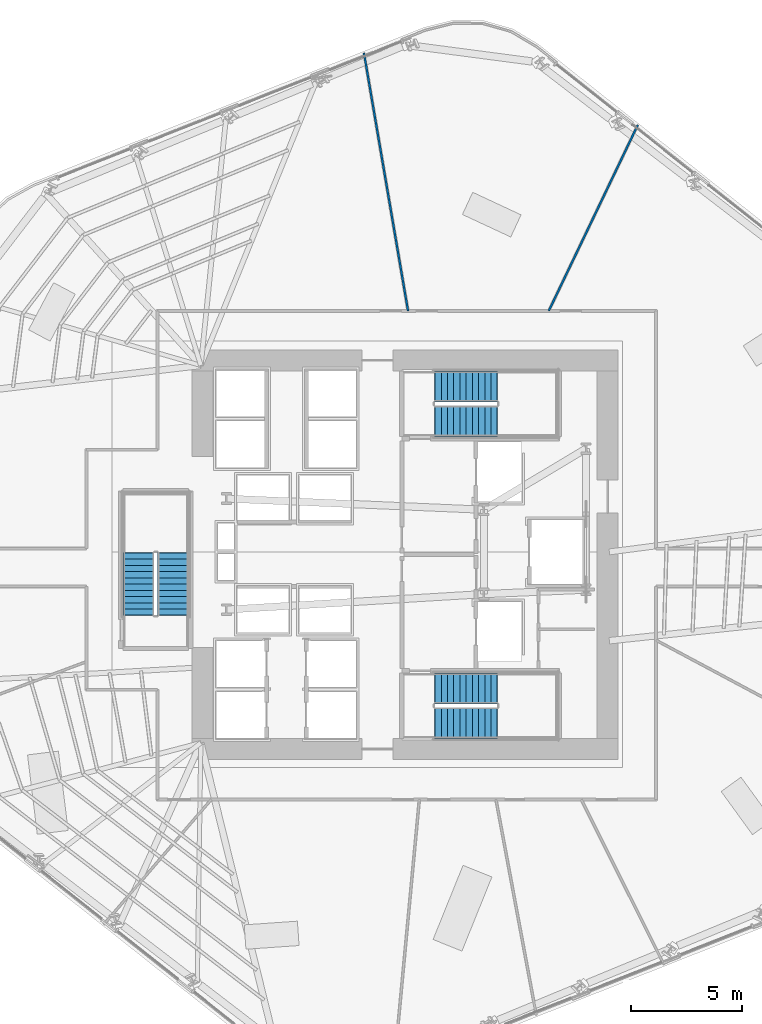
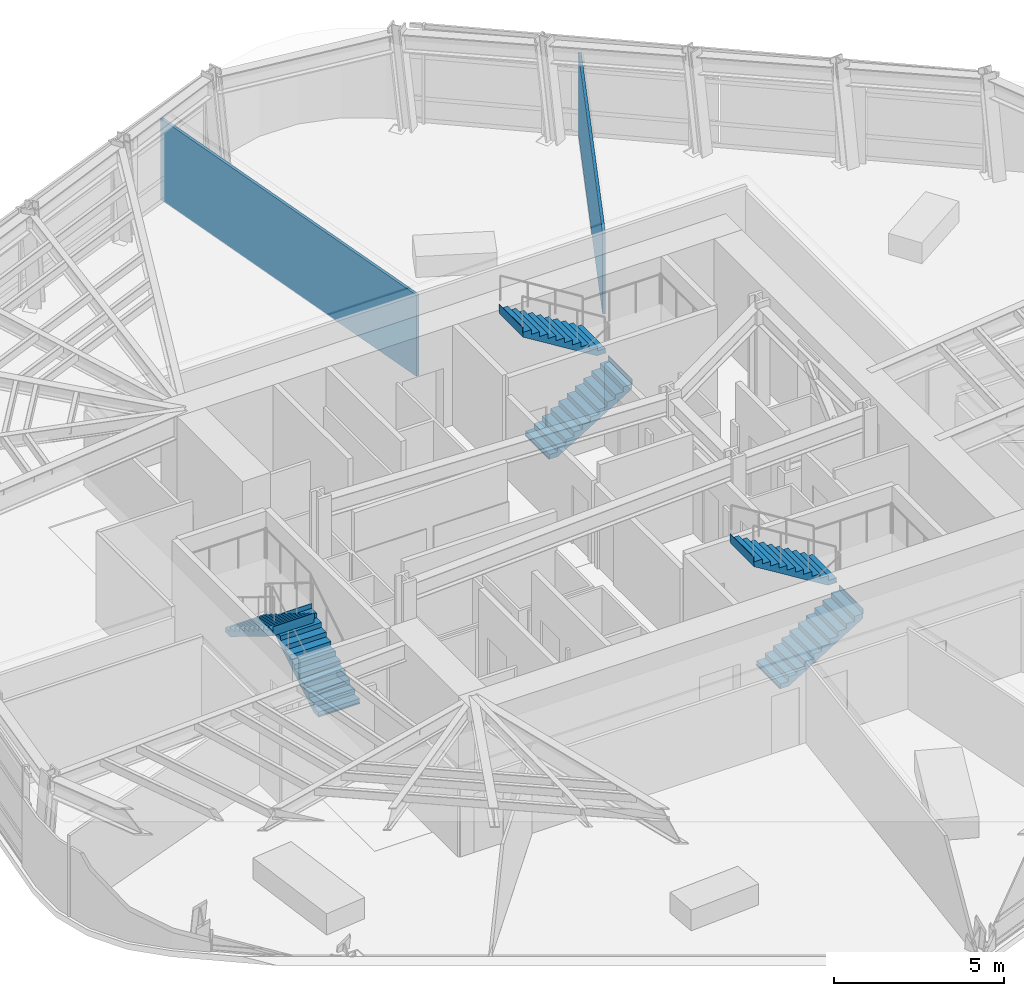
# One storey, part 10 of 17: 6 stair flights, 2 walls, 3 elements without a shape of their own.
"""IFC4 building model written with IfcOpenShell, lengths in metres."""

from ifc_helpers import new_model, si_unit, direction, frame, frame_2d, origin, place, context, subcontext, project, spatial, polyline, rectangle, outline, extrude, material, layer, layer_set, type_object, element, aggregate, save


model = new_model("IFC4")

# Units and contexts
model_context = context("Model", 3, precision=1e-05, world=origin(), true_north=direction((0.0, 1.0)))
body_context = subcontext(model_context, "Body", "Model", "MODEL_VIEW")
ifc_project = project(units=[si_unit("LENGTHUNIT", "METRE"), si_unit("AREAUNIT", "SQUARE_METRE"), si_unit("VOLUMEUNIT", "CUBIC_METRE"), si_unit("PLANEANGLEUNIT", "RADIAN"), si_unit("MASSUNIT", "GRAM", prefix="KILO")], contexts=[model_context])

# Site, building, storey
site_placement = place(None, origin())
site = spatial("IfcSite", under=ifc_project, at=site_placement, CompositionType="ELEMENT")
building_placement = place(site_placement, origin())
building = spatial("IfcBuilding", under=site, at=building_placement, Name="Valkerne Bourse Tower", CompositionType="ELEMENT")
storey_placement = place(building_placement, frame((0.0, 0.0, 116.199951171875)))
storey = spatial("IfcBuildingStorey", under=building, at=storey_placement, Name="L29", CompositionType="ELEMENT", Elevation=116.199951171875)

# Walls
ifc_material_1 = material(Name="Gypsum Board Steel-Stud Partition", Category="steel")
ifc_layer = layer(ifc_material_1, 0.092041015625)
ifc_layer_set = layer_set([ifc_layer], Name="Gypsum Board Steel-Stud Partition")
wall_type = type_object("IfcWallType", Name="W-PART-115", PredefinedType="PARTITIONING", material=ifc_layer_set)
wall_1_placement = place(storey_placement, frame((53.2705078125, 37.85498046875, 0.0), z_axis=(0.0, 0.0, 1.0), x_axis=(0.43184619649, 0.901947261528, 0.0)))
element("IfcWall", 1, at=wall_1_placement, inside=storey, type_object=wall_type, Name="L29 Suite Partition P06", PredefinedType="PARTITIONING", context=body_context, shape_type="SweptSolid", body=[
    extrude(rectangle(XDim=9.28564453125, YDim=0.092041015625, at=frame_2d((4.642822265625, 0.0))), origin(), (0.0, 0.0, 1.0), 2.92236328125),
])
wall_2_placement = place(storey_placement, frame((46.9326171875, 37.85498046875, 0.0), z_axis=(0.0, 0.0, 1.0), x_axis=(-0.168494230919, 0.985702639819, 0.0)))
element("IfcWall", 2, at=wall_2_placement, inside=storey, type_object=wall_type, Name="L29 Suite Partition P07", PredefinedType="PARTITIONING", context=body_context, shape_type="SweptSolid", body=[
    extrude(rectangle(XDim=11.7900390625, YDim=0.092041015625, at=frame_2d((5.89501953125, 0.0))), origin(), (0.0, 0.0, 1.0), 2.92236328125),
])

# Stair, stair flights
ifc_material_2 = material(Name="Concrete C40/50", Category="concrete")
stair_type = type_object("IfcStairType", Name="ST-CORE-1400", PredefinedType="HALF_TURN_STAIR", material=ifc_material_2)
stair_1_placement = place(storey_placement, origin())
stair_1 = element("IfcStair", 3, at=stair_1_placement, inside=storey, type_object=stair_type, Name="L29 ST-1", PredefinedType="HALF_TURN_STAIR")
stair_flight_type = type_object("IfcStairFlightType", Name="STF-CORE-1400", PredefinedType="STRAIGHT", material=ifc_material_2)
stair_flight_1_placement = place(storey_placement, frame((48.14990234375, 19.300048828125, 0.0), z_axis=(0.0, 0.0, 1.0), x_axis=(1.0, 0.0, 0.0)))
stair_flight_1 = element("IfcStairFlight", 4, at=stair_flight_1_placement, type_object=stair_flight_type, Name="ST-1 flight 1", NumberOfRisers=11, NumberOfTreads=10, PredefinedType="STRAIGHT", RiserHeight=0.172727273, TreadLength=0.28, context=body_context, shape_type="SweptSolid", body=[
    extrude(outline(polyline([(-0.02001953125, 0.0), (-0.02001953125, 0.044921875), (0.0, 0.044921875), (0.0, 0.172607421875), (0.280029296875, 0.172607421875), (0.280029296875, 0.345458984375), (0.56005859375, 0.345458984375), (0.56005859375, 0.51806640625), (0.840087890625, 0.51806640625), (0.840087890625, 0.69091796875), (1.1201171875, 0.69091796875), (1.1201171875, 0.863525390625), (1.39990234375, 0.863525390625), (1.39990234375, 1.036376953125), (1.679931640625, 1.036376953125), (1.679931640625, 1.208984375), (1.9599609375, 1.208984375), (1.9599609375, 1.3818359375), (2.239990234375, 1.3818359375), (2.239990234375, 1.554443359375), (2.52001953125, 1.554443359375), (2.52001953125, 1.727294921875), (2.800048828125, 1.727294921875), (2.800048828125, 1.89990234375), (2.820068359375, 1.89990234375), (2.820068359375, 1.780029296875), (2.800048828125, 1.551025390625), (0.285400390625, 0.0), (-0.02001953125, 0.0)])), frame((0.0, 0.699951171875, 0.0), z_axis=(0.0, -1.0, 0.0), x_axis=(1.0, 0.0, 0.0)), (0.0, 0.0, 1.0), 1.39990234375),
])
stair_flight_2_placement = place(storey_placement, frame((50.949951171875, 20.85009765625, 1.900146484375), z_axis=(0.0, 0.0, 1.0), x_axis=(-1.0, 0.0, 0.0)))
stair_flight_2 = element("IfcStairFlight", 5, at=stair_flight_2_placement, type_object=stair_flight_type, Name="ST-1 flight 2", NumberOfRisers=11, NumberOfTreads=10, PredefinedType="STRAIGHT", RiserHeight=0.172727273, TreadLength=0.28, context=body_context, shape_type="SweptSolid", body=[
    extrude(outline(polyline([(-0.02001953125, 0.0), (-0.02001953125, 0.044921875), (0.0, 0.044921875), (0.0, 0.172607421875), (0.280029296875, 0.172607421875), (0.280029296875, 0.345458984375), (0.56005859375, 0.345458984375), (0.56005859375, 0.51806640625), (0.840087890625, 0.51806640625), (0.840087890625, 0.69091796875), (1.1201171875, 0.69091796875), (1.1201171875, 0.863525390625), (1.39990234375, 0.863525390625), (1.39990234375, 1.036376953125), (1.679931640625, 1.036376953125), (1.679931640625, 1.208984375), (1.9599609375, 1.208984375), (1.9599609375, 1.3818359375), (2.239990234375, 1.3818359375), (2.239990234375, 1.554443359375), (2.52001953125, 1.554443359375), (2.52001953125, 1.727294921875), (2.800048828125, 1.727294921875), (2.800048828125, 1.89990234375), (2.820068359375, 1.89990234375), (2.820068359375, 1.780029296875), (2.800048828125, 1.551025390625), (0.285400390625, 0.0), (-0.02001953125, 0.0)])), frame((0.0, 0.699951171875, 0.0), z_axis=(0.0, -1.0, 0.0), x_axis=(1.0, 0.0, 0.0)), (0.0, 0.0, 1.0), 1.39990234375),
])
aggregate(stair_1, [stair_flight_1, stair_flight_2])

stair_2_placement = place(storey_placement, origin())
stair_2 = element("IfcStair", 6, at=stair_2_placement, inside=storey, type_object=stair_type, Name="L29 ST-2", PredefinedType="HALF_TURN_STAIR")
stair_flight_3_placement = place(storey_placement, frame((48.14990234375, 32.89990234375, 0.0), z_axis=(0.0, 0.0, 1.0), x_axis=(1.0, 0.0, 0.0)))
stair_flight_3 = element("IfcStairFlight", 7, at=stair_flight_3_placement, type_object=stair_flight_type, Name="ST-2 flight 1", NumberOfRisers=11, NumberOfTreads=10, PredefinedType="STRAIGHT", RiserHeight=0.172727273, TreadLength=0.28, context=body_context, shape_type="SweptSolid", body=[
    extrude(outline(polyline([(-0.02001953125, 0.0), (-0.02001953125, 0.044921875), (0.0, 0.044921875), (0.0, 0.172607421875), (0.280029296875, 0.172607421875), (0.280029296875, 0.345458984375), (0.56005859375, 0.345458984375), (0.56005859375, 0.51806640625), (0.840087890625, 0.51806640625), (0.840087890625, 0.69091796875), (1.1201171875, 0.69091796875), (1.1201171875, 0.863525390625), (1.39990234375, 0.863525390625), (1.39990234375, 1.036376953125), (1.679931640625, 1.036376953125), (1.679931640625, 1.208984375), (1.9599609375, 1.208984375), (1.9599609375, 1.3818359375), (2.239990234375, 1.3818359375), (2.239990234375, 1.554443359375), (2.52001953125, 1.554443359375), (2.52001953125, 1.727294921875), (2.800048828125, 1.727294921875), (2.800048828125, 1.89990234375), (2.820068359375, 1.89990234375), (2.820068359375, 1.780029296875), (2.800048828125, 1.551025390625), (0.285400390625, 0.0), (-0.02001953125, 0.0)])), frame((0.0, 0.699951171875, 0.0), z_axis=(0.0, -1.0, 0.0), x_axis=(1.0, 0.0, 0.0)), (0.0, 0.0, 1.0), 1.39990234375),
])
stair_flight_4_placement = place(storey_placement, frame((50.949951171875, 34.449951171875, 1.900146484375), z_axis=(0.0, 0.0, 1.0), x_axis=(-1.0, 0.0, 0.0)))
stair_flight_4 = element("IfcStairFlight", 8, at=stair_flight_4_placement, type_object=stair_flight_type, Name="ST-2 flight 2", NumberOfRisers=11, NumberOfTreads=10, PredefinedType="STRAIGHT", RiserHeight=0.172727273, TreadLength=0.28, context=body_context, shape_type="SweptSolid", body=[
    extrude(outline(polyline([(-0.02001953125, 0.0), (-0.02001953125, 0.044921875), (0.0, 0.044921875), (0.0, 0.172607421875), (0.280029296875, 0.172607421875), (0.280029296875, 0.345458984375), (0.56005859375, 0.345458984375), (0.56005859375, 0.51806640625), (0.840087890625, 0.51806640625), (0.840087890625, 0.69091796875), (1.1201171875, 0.69091796875), (1.1201171875, 0.863525390625), (1.39990234375, 0.863525390625), (1.39990234375, 1.036376953125), (1.679931640625, 1.036376953125), (1.679931640625, 1.208984375), (1.9599609375, 1.208984375), (1.9599609375, 1.3818359375), (2.239990234375, 1.3818359375), (2.239990234375, 1.554443359375), (2.52001953125, 1.554443359375), (2.52001953125, 1.727294921875), (2.800048828125, 1.727294921875), (2.800048828125, 1.89990234375), (2.820068359375, 1.89990234375), (2.820068359375, 1.780029296875), (2.800048828125, 1.551025390625), (0.285400390625, 0.0), (-0.02001953125, 0.0)])), frame((0.0, 0.699951171875, 0.0), z_axis=(0.0, -1.0, 0.0), x_axis=(1.0, 0.0, 0.0)), (0.0, 0.0, 1.0), 1.39990234375),
])
aggregate(stair_2, [stair_flight_3, stair_flight_4])

stair_3_placement = place(storey_placement, origin())
stair_3 = element("IfcStair", 9, at=stair_3_placement, inside=storey, type_object=stair_type, Name="L29 ST-3", PredefinedType="HALF_TURN_STAIR")
stair_flight_5_placement = place(storey_placement, frame((36.35009765625, 24.14990234375, 0.0), z_axis=(0.0, 0.0, 1.0), x_axis=(0.0, 1.0, 0.0)))
stair_flight_5 = element("IfcStairFlight", 10, at=stair_flight_5_placement, type_object=stair_flight_type, Name="ST-3 flight 1", NumberOfRisers=11, NumberOfTreads=10, PredefinedType="STRAIGHT", RiserHeight=0.172727273, TreadLength=0.28, context=body_context, shape_type="SweptSolid", body=[
    extrude(outline(polyline([(-0.02001953125, 0.0), (-0.02001953125, 0.044921875), (0.0, 0.044921875), (0.0, 0.172607421875), (0.280029296875, 0.172607421875), (0.280029296875, 0.345458984375), (0.56005859375, 0.345458984375), (0.56005859375, 0.51806640625), (0.840087890625, 0.51806640625), (0.840087890625, 0.69091796875), (1.1201171875, 0.69091796875), (1.1201171875, 0.863525390625), (1.39990234375, 0.863525390625), (1.39990234375, 1.036376953125), (1.679931640625, 1.036376953125), (1.679931640625, 1.208984375), (1.9599609375, 1.208984375), (1.9599609375, 1.3818359375), (2.239990234375, 1.3818359375), (2.239990234375, 1.554443359375), (2.52001953125, 1.554443359375), (2.52001953125, 1.727294921875), (2.800048828125, 1.727294921875), (2.800048828125, 1.89990234375), (2.820068359375, 1.89990234375), (2.820068359375, 1.780029296875), (2.800048828125, 1.551025390625), (0.285400390625, 0.0), (-0.02001953125, 0.0)])), frame((0.0, 0.699951171875, 0.0), z_axis=(0.0, -1.0, 0.0), x_axis=(1.0, 0.0, 0.0)), (0.0, 0.0, 1.0), 1.39990234375),
])
stair_flight_6_placement = place(storey_placement, frame((34.800048828125, 26.949951171875, 1.900146484375), z_axis=(0.0, 0.0, 1.0), x_axis=(0.0, -1.0, 0.0)))
stair_flight_6 = element("IfcStairFlight", 11, at=stair_flight_6_placement, type_object=stair_flight_type, Name="ST-3 flight 2", NumberOfRisers=11, NumberOfTreads=10, PredefinedType="STRAIGHT", RiserHeight=0.172727273, TreadLength=0.28, context=body_context, shape_type="SweptSolid", body=[
    extrude(outline(polyline([(-0.02001953125, 0.0), (-0.02001953125, 0.044921875), (0.0, 0.044921875), (0.0, 0.172607421875), (0.280029296875, 0.172607421875), (0.280029296875, 0.345458984375), (0.56005859375, 0.345458984375), (0.56005859375, 0.51806640625), (0.840087890625, 0.51806640625), (0.840087890625, 0.69091796875), (1.1201171875, 0.69091796875), (1.1201171875, 0.863525390625), (1.39990234375, 0.863525390625), (1.39990234375, 1.036376953125), (1.679931640625, 1.036376953125), (1.679931640625, 1.208984375), (1.9599609375, 1.208984375), (1.9599609375, 1.3818359375), (2.239990234375, 1.3818359375), (2.239990234375, 1.554443359375), (2.52001953125, 1.554443359375), (2.52001953125, 1.727294921875), (2.800048828125, 1.727294921875), (2.800048828125, 1.89990234375), (2.820068359375, 1.89990234375), (2.820068359375, 1.780029296875), (2.800048828125, 1.551025390625), (0.285400390625, 0.0), (-0.02001953125, 0.0)])), frame((0.0, 0.699951171875, 0.0), z_axis=(0.0, -1.0, 0.0), x_axis=(1.0, 0.0, 0.0)), (0.0, 0.0, 1.0), 1.39990234375),
])
aggregate(stair_3, [stair_flight_5, stair_flight_6])

save(model, "model.ifc")
